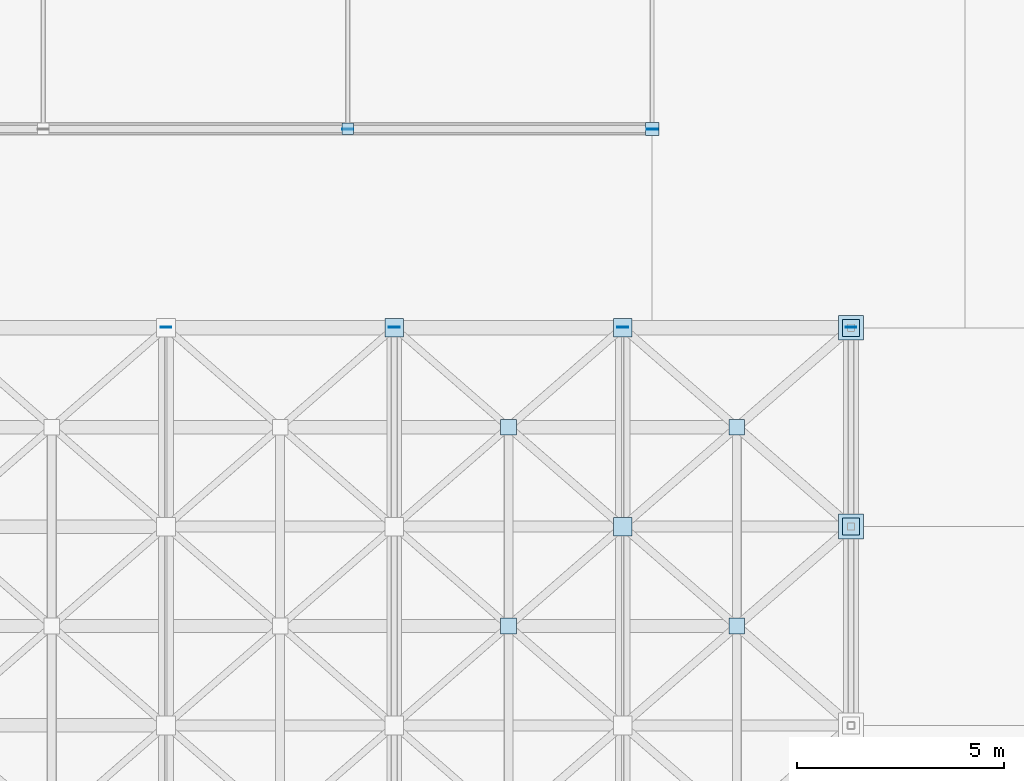
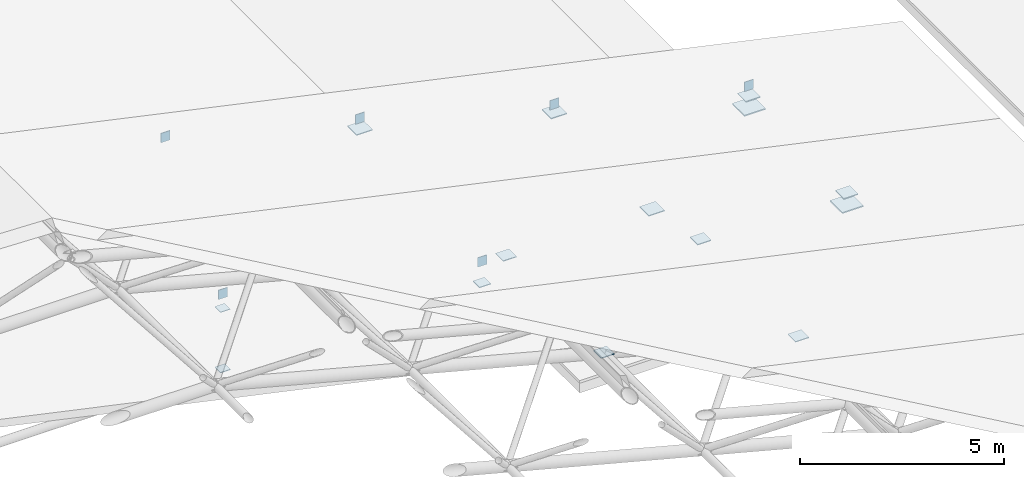
# One storey, part 51 of 60: 20 plates.
"""IFC4 building model written with IfcOpenShell, lengths in metres."""

from ifc_helpers import new_model, si_unit, direction, frame, origin, origin_2d, place, context, subcontext, project, spatial, rectangle, extrude, material, type_object, element, save


model = new_model("IFC4")

# Units and contexts
model_context = context("Model", 3, precision=1e-05, world=origin(), true_north=direction((0.0, 1.0)))
body_context = subcontext(model_context, "Body", "Model", "MODEL_VIEW")
ifc_project = project(units=[si_unit("LENGTHUNIT", "METRE"), si_unit("AREAUNIT", "SQUARE_METRE"), si_unit("VOLUMEUNIT", "CUBIC_METRE"), si_unit("PLANEANGLEUNIT", "RADIAN"), si_unit("MASSUNIT", "GRAM", prefix="KILO")], contexts=[model_context])

# Site, building, storey
site_placement = place(None, origin())
site = spatial("IfcSite", under=ifc_project, at=site_placement, CompositionType="ELEMENT")
building_placement = place(site_placement, origin())
building = spatial("IfcBuilding", under=site, at=building_placement, Name="Nakhvara Creek Congress Hotel", CompositionType="ELEMENT")
storey_placement = place(building_placement, frame((0.0, 0.0, 54.60009765625)))
storey = spatial("IfcBuildingStorey", under=building, at=storey_placement, Name="RL1", CompositionType="ELEMENT", Elevation=54.60009765625)

# Plates
ifc_material = material(Name="Steel S355J2", Category="steel")
plate_type_1 = type_object("IfcPlateType", Name="PLT-BASE-600X600X35", PredefinedType="USERDEFINED", material=ifc_material)
for number, where, z_axis, x_axis, name in (
    (1, (53.25, 81.60009765625, -35.39990234375), (0.0, 0.0, 1.0), (1.0, 0.0, 0.0), "Space-Frame Bearing Shoe SN04-099"),
    (2, (53.25, 86.39990234375, -35.39990234375), (0.0, 0.0, 1.0), (1.0, 0.0, 0.0), "Space-Frame Bearing Shoe SN04-108"),
):
    element("IfcPlate", number, at=place(storey_placement, frame(where, z_axis=z_axis, x_axis=x_axis)), inside=storey, type_object=plate_type_1, Name=name, ObjectType="GUSSET_PLATE", PredefinedType="USERDEFINED", context=body_context, shape_type="SweptSolid", body=[
        extrude(rectangle(XDim=0.60009765625, YDim=0.60009765625, at=origin_2d()), origin(), (0.0, 0.0, 1.0), 0.034912109375),
    ])
plate_type_2 = type_object("IfcPlateType", Name="PLT-CAP-260X280X20", PredefinedType="USERDEFINED", material=ifc_material)
for number, where, z_axis, x_axis, name in (
    (3, (36.71240234375, 86.409912109375, -30.63818359375), (0.0, 0.0, 1.0), (1.0, 0.0, 0.0), "Congress Purlin End-Cap Plate SN08-06N"),
    (4, (42.22509765625, 86.409912109375, -32.01318359375), (0.0, 0.0, 1.0), (1.0, 0.0, 0.0), "Congress Purlin End-Cap Plate SN08-07N"),
    (5, (47.737548828125, 86.409912109375, -33.51806640625), (0.0, 0.0, 1.0), (1.0, 0.0, 0.0), "Congress Purlin End-Cap Plate SN08-08N"),
    (6, (53.25, 86.409912109375, -34.89306640625), (0.0, 0.0, 1.0), (1.0, 0.0, 0.0), "Congress Purlin End-Cap Plate SN08-09N"),
    (7, (41.10009765625, 91.18994140625, -39.77392578125), (0.0, 0.0, 1.0), (1.0, 0.0, 0.0), "Ballroom Purlin End-Cap Plate SN08-6S"),
    (8, (48.449951171875, 91.18994140625, -41.3740234375), (0.0, 0.0, 1.0), (1.0, 0.0, 0.0), "Ballroom Purlin End-Cap Plate SN08-7S"),
):
    element("IfcPlate", number, at=place(storey_placement, frame(where, z_axis=z_axis, x_axis=x_axis)), inside=storey, type_object=plate_type_2, Name=name, ObjectType="GUSSET_PLATE", PredefinedType="USERDEFINED", context=body_context, shape_type="SweptSolid", body=[
        extrude(rectangle(XDim=0.260009765625, YDim=0.02001953125, at=origin_2d()), origin(), (0.0, 0.0, 1.0), 0.280029296875),
    ])
plate_type_3 = type_object("IfcPlateType", Name="PLT-NODE-280X280X18", PredefinedType="USERDEFINED", material=ifc_material)
for number, where, z_axis, x_axis, name in (
    (9, (41.10009765625, 91.199951171875, -41.899169921875), (0.0, 0.0, 1.0), (1.0, 0.0, 0.0), "Ballroom Truss Node Gusset Plate SN-009"),
    (10, (41.10009765625, 91.199951171875, -40.089111328125), (0.0, 0.0, 1.0), (1.0, 0.0, 0.0), "Ballroom Truss Rafter Gusset Plate SN-010"),
):
    element("IfcPlate", number, at=place(storey_placement, frame(where, z_axis=z_axis, x_axis=x_axis)), inside=storey, type_object=plate_type_3, Name=name, ObjectType="GUSSET_PLATE", PredefinedType="USERDEFINED", context=body_context, shape_type="SweptSolid", body=[
        extrude(rectangle(XDim=0.280029296875, YDim=0.280029296875, at=origin_2d()), origin(), (0.0, 0.0, 1.0), 0.01806640625),
    ])
plate_type_4 = type_object("IfcPlateType", Name="PLT-NODE-320X320X20", PredefinedType="USERDEFINED", material=ifc_material)
plate_placement = place(storey_placement, frame((48.449951171875, 91.199951171875, -41.900146484375), z_axis=(0.0, 0.0, 1.0), x_axis=(1.0, 0.0, 0.0)))
element("IfcPlate", 11, at=plate_placement, inside=storey, type_object=plate_type_4, Name="Ballroom Truss Node Gusset Plate SN-011", ObjectType="GUSSET_PLATE", PredefinedType="USERDEFINED", context=body_context, shape_type="SweptSolid", body=[
    extrude(rectangle(XDim=0.320068359375, YDim=0.320068359375, at=origin_2d()), origin(), (0.0, 0.0, 1.0), 0.02001953125),
])
plate_type_5 = type_object("IfcPlateType", Name="PLT-NODE-380X380X24", PredefinedType="USERDEFINED", material=ifc_material)
for number, where, z_axis, x_axis, name in (
    (12, (44.981201171875, 79.199951171875, -35.501953125), (0.0, 0.0, 1.0), (1.0, 0.0, 0.0), "Congress Roof Truss Bottom Node Plate SN-187"),
    (13, (50.49365234375, 79.199951171875, -36.942138671875), (0.0, 0.0, 1.0), (1.0, 0.0, 0.0), "Congress Roof Truss Bottom Node Plate SN-188"),
    (14, (44.981201171875, 84.0, -35.501953125), (0.0, 0.0, 1.0), (1.0, 0.0, 0.0), "Congress Roof Truss Bottom Node Plate SN-195"),
    (15, (50.49365234375, 84.0, -36.942138671875), (0.0, 0.0, 1.0), (1.0, 0.0, 0.0), "Congress Roof Truss Bottom Node Plate SN-196"),
):
    element("IfcPlate", number, at=place(storey_placement, frame(where, z_axis=z_axis, x_axis=x_axis)), inside=storey, type_object=plate_type_5, Name=name, ObjectType="GUSSET_PLATE", PredefinedType="USERDEFINED", context=body_context, shape_type="SweptSolid", body=[
        extrude(rectangle(XDim=0.3798828125, YDim=0.3798828125, at=origin_2d()), origin(), (0.0, 0.0, 1.0), 0.02392578125),
    ])
plate_type_6 = type_object("IfcPlateType", Name="PLT-NODE-410X410X26", PredefinedType="USERDEFINED", material=ifc_material)
for number, where, z_axis, x_axis, name in (
    (16, (53.25, 81.60009765625, -35.06298828125), (0.0, 0.0, 1.0), (1.0, 0.0, 0.0), "Congress Roof Truss Node Plate SN-099"),
    (17, (53.25, 86.39990234375, -35.06298828125), (0.0, 0.0, 1.0), (1.0, 0.0, 0.0), "Congress Roof Truss Node Plate SN-108"),
):
    element("IfcPlate", number, at=place(storey_placement, frame(where, z_axis=z_axis, x_axis=x_axis)), inside=storey, type_object=plate_type_6, Name=name, ObjectType="GUSSET_PLATE", PredefinedType="USERDEFINED", context=body_context, shape_type="SweptSolid", body=[
        extrude(rectangle(XDim=0.409912109375, YDim=0.409912109375, at=origin_2d()), origin(), (0.0, 0.0, 1.0), 0.02587890625),
    ])
plate_type_7 = type_object("IfcPlateType", Name="PLT-NODE-450X450X28", PredefinedType="USERDEFINED", material=ifc_material)
for number, where, z_axis, x_axis, name in (
    (18, (47.737548828125, 81.60009765625, -33.6240234375), (0.0, 0.0, 1.0), (1.0, 0.0, 0.0), "Congress Roof Truss Node Plate SN-098"),
    (19, (42.22509765625, 86.39990234375, -32.18408203125), (0.0, 0.0, 1.0), (1.0, 0.0, 0.0), "Congress Roof Truss Node Plate SN-106"),
    (20, (47.737548828125, 86.39990234375, -33.6240234375), (0.0, 0.0, 1.0), (1.0, 0.0, 0.0), "Congress Roof Truss Node Plate SN-107"),
):
    element("IfcPlate", number, at=place(storey_placement, frame(where, z_axis=z_axis, x_axis=x_axis)), inside=storey, type_object=plate_type_7, Name=name, ObjectType="GUSSET_PLATE", PredefinedType="USERDEFINED", context=body_context, shape_type="SweptSolid", body=[
        extrude(rectangle(XDim=0.449951171875, YDim=0.449951171875, at=origin_2d()), origin(), (0.0, 0.0, 1.0), 0.028076171875),
    ])

save(model, "model.ifc")
